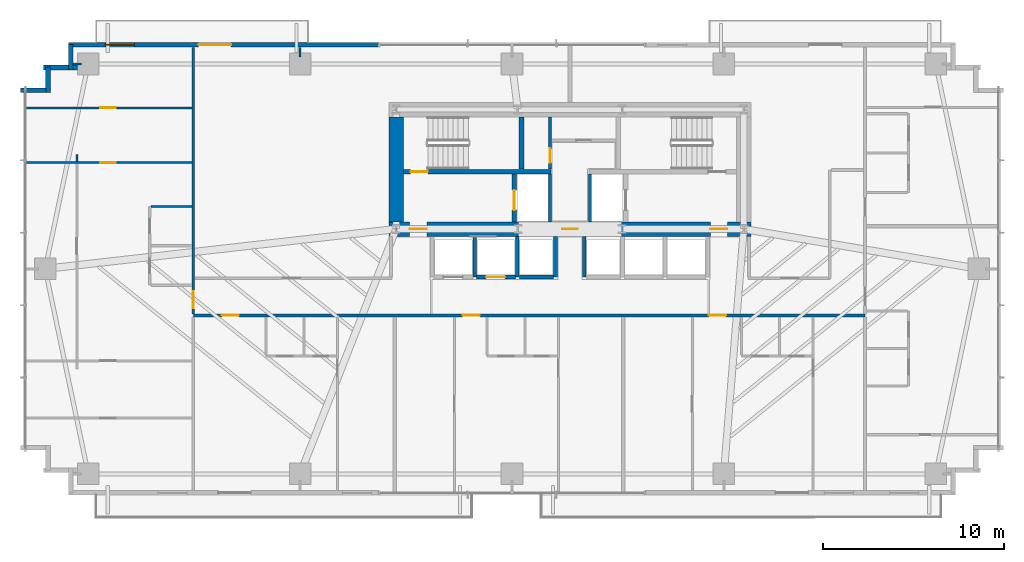
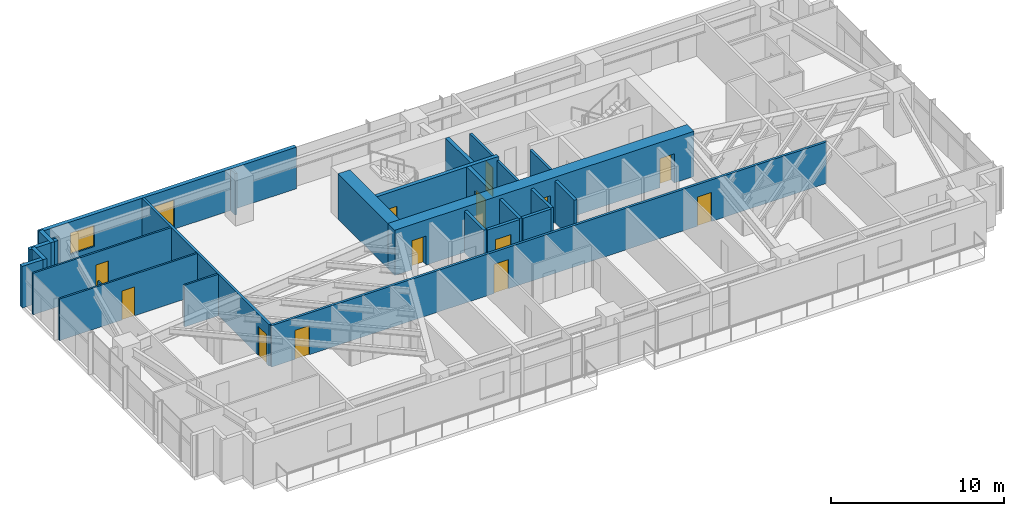
# One storey, part 20 of 25: 27 walls, 14 doors, 1 window, 15 openings.
"""IFC4 building model written with IfcOpenShell, lengths in metres."""

from ifc_helpers import new_model, si_unit, direction, frame, frame_2d, origin, place, context, subcontext, project, spatial, rectangle, extrude, source, transform, mapped, material, layer, layer_set, type_object, type_shapes, element, fill, save


model = new_model("IFC4")

# Units and contexts
model_context = context("Model", 3, precision=1e-05, world=origin(), true_north=direction((0.0, 1.0)))
body_context = subcontext(model_context, "Body", "Model", "MODEL_VIEW")
ifc_project = project(units=[si_unit("LENGTHUNIT", "METRE"), si_unit("AREAUNIT", "SQUARE_METRE"), si_unit("VOLUMEUNIT", "CUBIC_METRE"), si_unit("PLANEANGLEUNIT", "RADIAN"), si_unit("MASSUNIT", "GRAM", prefix="KILO")], contexts=[model_context])

# Site, building, storey
site_placement = place(None, origin())
site = spatial("IfcSite", under=ifc_project, at=site_placement, CompositionType="ELEMENT")
building_placement = place(site_placement, origin())
building = spatial("IfcBuilding", under=site, at=building_placement, Name="Astriad Promenade Condominiums", CompositionType="ELEMENT")
storey_placement = place(building_placement, frame((0.0, 0.0, 48.60009765625)))
storey = spatial("IfcBuildingStorey", under=building, at=storey_placement, Name="L13", CompositionType="ELEMENT", Elevation=48.60009765625)

# Wall, openings, doors
ifc_material_1 = material(Name="Concrete C80/95", Category="concrete")
ifc_layer_1 = layer(ifc_material_1, 0.800048828125)
ifc_layer_set_1 = layer_set([ifc_layer_1], Name="Concrete C80/95")
wall_type_1 = type_object("IfcWallType", Name="CW-SHEAR-800", PredefinedType="SHEAR", material=ifc_layer_set_1)
wall_1_placement = place(storey_placement, frame((26.0, 17.39990234375, 0.0), z_axis=(0.0, 0.0, 1.0), x_axis=(1.0, 0.0, 0.0)))
wall_1 = element("IfcWall", 1, at=wall_1_placement, inside=storey, type_object=wall_type_1, Name="CW-CORE-S-L13", PredefinedType="SHEAR", context=body_context, shape_type="SweptSolid", body=[
    extrude(rectangle(XDim=20.0, YDim=0.800048828125, at=frame_2d((10.0, 0.0))), origin(), (0.0, 0.0, 1.0), 3.199951171875),
])
opening_1_placement = place(wall_1_placement, frame((1.14990234375, 0.0, 0.0)))
opening_1 = element("IfcOpeningElement", 2, at=opening_1_placement, cuts=wall_1, Name="Opening FD90-ST-095", PredefinedType="OPENING", context=body_context, shape_type="SweptSolid", body=[
    extrude(rectangle(XDim=0.949951171875, YDim=2.06005859375, at=frame_2d((0.47509765625, 1.030029296875))), frame((0.0, 0.409912109375, 0.0), z_axis=(0.0, -1.0, 0.0), x_axis=(1.0, 0.0, 0.0)), (0.0, 0.0, 1.0), 0.820068359375),
])
opening_2_placement = place(wall_1_placement, frame((9.580078125, 0.0, 0.0)))
opening_2 = element("IfcOpeningElement", 3, at=opening_2_placement, cuts=wall_1, Name="Opening FD60-ULOW-085", PredefinedType="OPENING", context=body_context, shape_type="SweptSolid", body=[
    extrude(rectangle(XDim=0.85009765625, YDim=2.0, at=frame_2d((0.425048828125, 1.0))), frame((0.0, 0.409912109375, 0.0), z_axis=(0.0, -1.0, 0.0), x_axis=(1.0, 0.0, 0.0)), (0.0, 0.0, 1.0), 0.820068359375),
])
opening_3_placement = place(wall_1_placement, frame((17.75, 0.0, 0.0)))
opening_3 = element("IfcOpeningElement", 4, at=opening_3_placement, cuts=wall_1, Name="Opening FD90-ST-095", PredefinedType="OPENING", context=body_context, shape_type="SweptSolid", body=[
    extrude(rectangle(XDim=0.949951171875, YDim=2.06005859375, at=frame_2d((0.47509765625, 1.030029296875))), frame((0.0, 0.409912109375, 0.0), z_axis=(0.0, -1.0, 0.0), x_axis=(1.0, 0.0, 0.0)), (0.0, 0.0, 1.0), 0.820068359375),
])
ifc_material_2 = material(Name="Fire-Rated Hollow Metal Stair Door")
door_type_1 = type_object("IfcDoorType", Name="FD90-ST-095", OperationType="NOTDEFINED", PredefinedType="DOOR", material=ifc_material_2)
shared_shape_1 = source(origin(), body_context, "Body", "SweptSolid", [
    extrude(rectangle(XDim=0.949951171875, YDim=2.06005859375, at=frame_2d((0.47509765625, 1.030029296875))), frame((0.0, 0.02490234375, 0.0), z_axis=(0.0, -1.0, 0.0), x_axis=(1.0, 0.0, 0.0)), (0.0, 0.0, 1.0), 0.050048828125),
])
type_shapes(door_type_1, [shared_shape_1])
door_1_placement = place(opening_1_placement, origin())
door_1 = element("IfcDoor", 5, at=door_1_placement, inside=storey, type_object=door_type_1, Name="D-FFW-L13", OperationType="SINGLE_SWING_LEFT", OverallHeight=2.06005859375, OverallWidth=0.949951171875, PredefinedType="DOOR", context=body_context, shape_type="MappedRepresentation", body=[
    mapped(shared_shape_1, transform((0.0, 0.0, 0.0), scale=1.0)),
])
fill(opening_1, door_1)
door_2_placement = place(opening_3_placement, origin())
door_2 = element("IfcDoor", 6, at=door_2_placement, inside=storey, type_object=door_type_1, Name="D-FFE-L13", OperationType="SINGLE_SWING_RIGHT", OverallHeight=2.06005859375, OverallWidth=0.949951171875, PredefinedType="DOOR", context=body_context, shape_type="MappedRepresentation", body=[
    mapped(shared_shape_1, transform((0.0, 0.0, 0.0), scale=1.0)),
])
fill(opening_3, door_2)
ifc_material_3 = material(Name="Solid-Core Low-Headroom Fire Door")
door_type_2 = type_object("IfcDoorType", Name="FD60-ULOW-085", OperationType="NOTDEFINED", PredefinedType="DOOR", material=ifc_material_3)
shared_shape_2 = source(origin(), body_context, "Body", "SweptSolid", [
    extrude(rectangle(XDim=0.85009765625, YDim=2.0, at=frame_2d((0.425048828125, 1.0))), frame((0.0, 0.02490234375, 0.0), z_axis=(0.0, -1.0, 0.0), x_axis=(1.0, 0.0, 0.0)), (0.0, 0.0, 1.0), 0.050048828125),
])
type_shapes(door_type_2, [shared_shape_2])
door_3_placement = place(opening_2_placement, origin())
door_3 = element("IfcDoor", 7, at=door_3_placement, inside=storey, type_object=door_type_2, Name="D-CSL-L13", OperationType="SINGLE_SWING_RIGHT", OverallHeight=2.0, OverallWidth=0.85009765625, PredefinedType="DOOR", context=body_context, shape_type="MappedRepresentation", body=[
    mapped(shared_shape_2, transform((0.0, 0.0, 0.0), scale=1.0)),
])
fill(opening_2, door_3)

# Wall
wall_2_placement = place(storey_placement, frame((26.39990234375, 17.802001953125, 0.0), z_axis=(0.0, 0.0, 1.0), x_axis=(0.0, 1.0, 0.0)))
element("IfcWall", 8, at=wall_2_placement, inside=storey, type_object=wall_type_1, Name="CW-CORE-W-L13", PredefinedType="SHEAR", context=body_context, shape_type="SweptSolid", body=[
    extrude(rectangle(XDim=5.7958984375, YDim=0.800048828125, at=frame_2d((2.89794921875, 0.0))), origin(), (0.0, 0.0, 1.0), 3.199951171875),
])

# Wall, opening, door
ifc_material_4 = material(Name="Concrete C50/60", Category="concrete")
ifc_layer_2 = layer(ifc_material_4, 0.25)
ifc_layer_set_2 = layer_set([ifc_layer_2], Name="Concrete C50/60")
wall_type_2 = type_object("IfcWallType", Name="WALL-CORE-INT-250", PredefinedType="SOLIDWALL", material=ifc_layer_set_2)
wall_3_placement = place(storey_placement, frame((26.802001953125, 20.574951171875, 0.0), z_axis=(0.0, 0.0, 1.0), x_axis=(1.0, 0.0, 0.0)))
wall_3 = element("IfcWall", 9, at=wall_3_placement, inside=storey, type_object=wall_type_2, Name="CW-INT-H1-L13", PredefinedType="SOLIDWALL", context=body_context, shape_type="SweptSolid", body=[
    extrude(rectangle(XDim=8.14794921875, YDim=0.25, at=frame_2d((4.073974609375, 0.0))), origin(), (0.0, 0.0, 1.0), 3.199951171875),
])
opening_4_placement = place(wall_3_placement, frame((0.39794921875, 0.0, 0.0)))
opening_4 = element("IfcOpeningElement", 10, at=opening_4_placement, cuts=wall_3, Name="Opening FD90-ST-095", PredefinedType="OPENING", context=body_context, shape_type="SweptSolid", body=[
    extrude(rectangle(XDim=0.949951171875, YDim=2.06005859375, at=frame_2d((0.47509765625, 1.030029296875))), frame((0.0, 0.135009765625, 0.0), z_axis=(0.0, -1.0, 0.0), x_axis=(1.0, 0.0, 0.0)), (0.0, 0.0, 1.0), 0.27001953125),
])
door_4_placement = place(opening_4_placement, origin())
door_4 = element("IfcDoor", 11, at=door_4_placement, inside=storey, type_object=door_type_1, Name="D-ST1-L13", OperationType="SINGLE_SWING_LEFT", OverallHeight=2.06005859375, OverallWidth=0.949951171875, PredefinedType="DOOR", context=body_context, shape_type="MappedRepresentation", body=[
    mapped(shared_shape_1, transform((0.0, 0.0, 0.0), scale=1.0)),
])
fill(opening_4, door_4)

# Wall
wall_4_placement = place(storey_placement, frame((33.324951171875, 20.701904296875, 0.0), z_axis=(0.0, 0.0, 1.0), x_axis=(0.0, 1.0, 0.0)))
element("IfcWall", 12, at=wall_4_placement, inside=storey, type_object=wall_type_2, Name="CW-ST1-E-L13", PredefinedType="SOLIDWALL", context=body_context, shape_type="SweptSolid", body=[
    extrude(rectangle(XDim=2.89599609375, YDim=0.25, at=frame_2d((1.447998046875, 0.0))), origin(), (0.0, 0.0, 1.0), 3.199951171875),
])

# Wall, opening, door
wall_5_placement = place(storey_placement, frame((32.925048828125, 17.802001953125, 0.0), z_axis=(0.0, 0.0, 1.0), x_axis=(0.0, 1.0, 0.0)))
wall_5 = element("IfcWall", 13, at=wall_5_placement, inside=storey, type_object=wall_type_2, Name="CW-FFL1-W-L13", PredefinedType="SOLIDWALL", context=body_context, shape_type="SweptSolid", body=[
    extrude(rectangle(XDim=2.64599609375, YDim=0.25, at=frame_2d((1.322998046875, 0.0))), origin(), (0.0, 0.0, 1.0), 3.199951171875),
])
opening_5_placement = place(wall_5_placement, frame((0.64794921875, 0.0, 0.0)))
opening_5 = element("IfcOpeningElement", 14, at=opening_5_placement, cuts=wall_5, Name="Opening LD-FFL-1122", PredefinedType="OPENING", context=body_context, shape_type="SweptSolid", body=[
    extrude(rectangle(XDim=1.10009765625, YDim=2.080078125, at=frame_2d((0.550048828125, 1.0400390625))), frame((0.0, 0.135009765625, 0.0), z_axis=(0.0, -1.0, 0.0), x_axis=(1.0, 0.0, 0.0)), (0.0, 0.0, 1.0), 0.27001953125),
])
ifc_material_5 = material(Name="Brushed Stainless Steel Fire Elevator Landing Door", Category="steel")
door_type_3 = type_object("IfcDoorType", Name="LD-FFL-1122", OperationType="NOTDEFINED", PredefinedType="DOOR", material=ifc_material_5)
shared_shape_3 = source(origin(), body_context, "Body", "SweptSolid", [
    extrude(rectangle(XDim=1.10009765625, YDim=2.080078125, at=frame_2d((0.550048828125, 1.0400390625))), frame((0.0, 0.02490234375, 0.0), z_axis=(0.0, -1.0, 0.0), x_axis=(1.0, 0.0, 0.0)), (0.0, 0.0, 1.0), 0.050048828125),
])
type_shapes(door_type_3, [shared_shape_3])
door_5_placement = place(opening_5_placement, origin())
door_5 = element("IfcDoor", 15, at=door_5_placement, inside=storey, type_object=door_type_3, Name="Elevator Landing Door FFL-1 (L13)", OperationType="SLIDING_TO_LEFT", OverallHeight=2.080078125, OverallWidth=1.10009765625, PredefinedType="DOOR", context=body_context, shape_type="MappedRepresentation", body=[
    mapped(shared_shape_3, transform((0.0, 0.0, 0.0), scale=1.0)),
])
fill(opening_5, door_5)

# Walls
ifc_material_6 = material(Name="Fire-Rated Gypsum Partition")
ifc_layer_3 = layer(ifc_material_6, 0.159912109375)
ifc_layer_set_3 = layer_set([ifc_layer_3], Name="Fire-Rated Gypsum Partition")
wall_type_3 = type_object("IfcWallType", Name="WALL-CORR-160", PredefinedType="PARTITIONING", material=ifc_layer_set_3)
for number, where, z_axis, x_axis, name in (
    (16, (34.89990234375, 17.802001953125, 0.0), (0.0, 0.0, 1.0), (0.0, 1.0, 0.0), "CW-FFL1-E-L13"),
    (17, (37.10009765625, 17.802001953125, 0.0), (0.0, 0.0, 1.0), (0.0, 1.0, 0.0), "CW-FFL2-W-L13"),
):
    element("IfcWall", number, at=place(storey_placement, frame(where, z_axis=z_axis, x_axis=x_axis)), inside=storey, type_object=wall_type_3, Name=name, PredefinedType="PARTITIONING", context=body_context, shape_type="SweptSolid", body=[
        extrude(rectangle(XDim=2.64599609375, YDim=0.159912109375, at=frame_2d((1.322998046875, 0.0))), origin(), (0.0, 0.0, 1.0), 2.93994140625),
    ])

# Wall, opening, door
wall_6_placement = place(storey_placement, frame((34.89990234375, 20.701904296875, 0.0), z_axis=(0.0, 0.0, 1.0), x_axis=(0.0, 1.0, 0.0)))
wall_6 = element("IfcWall", 18, at=wall_6_placement, inside=storey, type_object=wall_type_3, Name="CW-AUX-W-L13", PredefinedType="PARTITIONING", context=body_context, shape_type="SweptSolid", body=[
    extrude(rectangle(XDim=2.89599609375, YDim=0.159912109375, at=frame_2d((1.447998046875, 0.0))), origin(), (0.0, 0.0, 1.0), 2.93994140625),
])
opening_6_placement = place(wall_6_placement, frame((0.347900390625, 0.0, 0.0)))
opening_6 = element("IfcOpeningElement", 19, at=opening_6_placement, cuts=wall_6, Name="Opening FD60-SV-080", PredefinedType="OPENING", context=body_context, shape_type="SweptSolid", body=[
    extrude(rectangle(XDim=0.800048828125, YDim=2.050048828125, at=frame_2d((0.39990234375, 1.02490234375))), frame((0.0, 0.08984375, 0.0), z_axis=(0.0, -1.0, 0.0), x_axis=(1.0, 0.0, 0.0)), (0.0, 0.0, 1.0), 0.179931640625),
])
ifc_material_7 = material(Name="Fire-Rated Riser Closet Door")
door_type_4 = type_object("IfcDoorType", Name="FD60-SV-080", OperationType="NOTDEFINED", PredefinedType="DOOR", material=ifc_material_7)
shared_shape_4 = source(origin(), body_context, "Body", "SweptSolid", [
    extrude(rectangle(XDim=0.800048828125, YDim=2.050048828125, at=frame_2d((0.39990234375, 1.02490234375))), frame((0.0, 0.02490234375, 0.0), z_axis=(0.0, -1.0, 0.0), x_axis=(1.0, 0.0, 0.0)), (0.0, 0.0, 1.0), 0.050048828125),
])
type_shapes(door_type_4, [shared_shape_4])
door_6_placement = place(opening_6_placement, origin())
door_6 = element("IfcDoor", 20, at=door_6_placement, inside=storey, type_object=door_type_4, Name="D-AUX1-L13", OperationType="SINGLE_SWING_LEFT", OverallHeight=2.050048828125, OverallWidth=0.800048828125, PredefinedType="DOOR", context=body_context, shape_type="MappedRepresentation", body=[
    mapped(shared_shape_4, transform((0.0, 0.0, 0.0), scale=1.0)),
])
fill(opening_6, door_6)

# Wall, openings, doors
wall_7_placement = place(storey_placement, frame((15.199951171875, 12.6298828125, 0.0), z_axis=(0.0, 0.0, 1.0), x_axis=(1.0, 0.0, 0.0)))
wall_7 = element("IfcWall", 21, at=wall_7_placement, inside=storey, type_object=wall_type_3, Name="PT-COR-S-L13", PredefinedType="PARTITIONING", context=body_context, shape_type="SweptSolid", body=[
    extrude(rectangle(XDim=37.10009765625, YDim=0.159912109375, at=frame_2d((18.550048828125, 0.0))), origin(), (0.0, 0.0, 1.0), 2.93994140625),
])
opening_7_placement = place(wall_7_placement, frame((1.572021484375, 0.0, 0.0)))
opening_7 = element("IfcOpeningElement", 22, at=opening_7_placement, cuts=wall_7, Name="Opening FD60-APT-095", PredefinedType="OPENING", context=body_context, shape_type="SweptSolid", body=[
    extrude(rectangle(XDim=0.949951171875, YDim=2.06005859375, at=frame_2d((0.47509765625, 1.030029296875))), frame((0.0, 0.08984375, 0.0), z_axis=(0.0, -1.0, 0.0), x_axis=(1.0, 0.0, 0.0)), (0.0, 0.0, 1.0), 0.179931640625),
])
opening_8_placement = place(wall_7_placement, frame((14.876953125, 0.0, 0.0)))
opening_8 = element("IfcOpeningElement", 23, at=opening_8_placement, cuts=wall_7, Name="Opening FD60-APT-095", PredefinedType="OPENING", context=body_context, shape_type="SweptSolid", body=[
    extrude(rectangle(XDim=0.949951171875, YDim=2.06005859375, at=frame_2d((0.47509765625, 1.030029296875))), frame((0.0, 0.08984375, 0.0), z_axis=(0.0, -1.0, 0.0), x_axis=(1.0, 0.0, 0.0)), (0.0, 0.0, 1.0), 0.179931640625),
])
opening_9_placement = place(wall_7_placement, frame((28.47607421875, 0.0, 0.0)))
opening_9 = element("IfcOpeningElement", 24, at=opening_9_placement, cuts=wall_7, Name="Opening FD60-APT-095", PredefinedType="OPENING", context=body_context, shape_type="SweptSolid", body=[
    extrude(rectangle(XDim=0.949951171875, YDim=2.06005859375, at=frame_2d((0.47509765625, 1.030029296875))), frame((0.0, 0.08984375, 0.0), z_axis=(0.0, -1.0, 0.0), x_axis=(1.0, 0.0, 0.0)), (0.0, 0.0, 1.0), 0.179931640625),
])
ifc_material_8 = material(Name="Solid-Core Acoustic Timber Residence Entry Door", Category="wood")
door_type_5 = type_object("IfcDoorType", Name="FD60-APT-095", OperationType="NOTDEFINED", PredefinedType="DOOR", material=ifc_material_8)
shared_shape_5 = source(origin(), body_context, "Body", "SweptSolid", [
    extrude(rectangle(XDim=0.949951171875, YDim=2.06005859375, at=frame_2d((0.47509765625, 1.030029296875))), frame((0.0, 0.02490234375, 0.0), z_axis=(0.0, -1.0, 0.0), x_axis=(1.0, 0.0, 0.0)), (0.0, 0.0, 1.0), 0.050048828125),
])
type_shapes(door_type_5, [shared_shape_5])
door_7_placement = place(opening_7_placement, origin())
door_7 = element("IfcDoor", 25, at=door_7_placement, inside=storey, type_object=door_type_5, Name="D-ENT-L13-S1", OperationType="SINGLE_SWING_LEFT", OverallHeight=2.06005859375, OverallWidth=0.949951171875, PredefinedType="DOOR", context=body_context, shape_type="MappedRepresentation", body=[
    mapped(shared_shape_5, transform((0.0, 0.0, 0.0), scale=1.0)),
])
fill(opening_7, door_7)
door_8_placement = place(opening_8_placement, origin())
door_8 = element("IfcDoor", 26, at=door_8_placement, inside=storey, type_object=door_type_5, Name="D-ENT-L13-S2", OperationType="SINGLE_SWING_RIGHT", OverallHeight=2.06005859375, OverallWidth=0.949951171875, PredefinedType="DOOR", context=body_context, shape_type="MappedRepresentation", body=[
    mapped(shared_shape_5, transform((0.0, 0.0, 0.0), scale=1.0)),
])
fill(opening_8, door_8)
door_9_placement = place(opening_9_placement, origin())
door_9 = element("IfcDoor", 27, at=door_9_placement, inside=storey, type_object=door_type_5, Name="D-ENT-L13-S3", OperationType="SINGLE_SWING_LEFT", OverallHeight=2.06005859375, OverallWidth=0.949951171875, PredefinedType="DOOR", context=body_context, shape_type="MappedRepresentation", body=[
    mapped(shared_shape_5, transform((0.0, 0.0, 0.0), scale=1.0)),
])
fill(opening_9, door_9)

# Wall, opening, door
wall_8_placement = place(storey_placement, frame((15.199951171875, 12.7119140625, 0.0), z_axis=(0.0, 0.0, 1.0), x_axis=(0.0, 1.0, 0.0)))
wall_8 = element("IfcWall", 28, at=wall_8_placement, inside=storey, type_object=wall_type_3, Name="PT-COR-W-L13-S2", PredefinedType="PARTITIONING", context=body_context, shape_type="SweptSolid", body=[
    extrude(rectangle(XDim=14.72607421875, YDim=0.159912109375, at=frame_2d((7.363037109375, 0.0))), origin(), (0.0, 0.0, 1.0), 2.93994140625),
])
opening_10_placement = place(wall_8_placement, frame((0.31201171875, 0.0, 0.0)))
opening_10 = element("IfcOpeningElement", 29, at=opening_10_placement, cuts=wall_8, Name="Opening FD60-APT-095", PredefinedType="OPENING", context=body_context, shape_type="SweptSolid", body=[
    extrude(rectangle(XDim=0.949951171875, YDim=2.06005859375, at=frame_2d((0.47509765625, 1.030029296875))), frame((0.0, 0.08984375, 0.0), z_axis=(0.0, -1.0, 0.0), x_axis=(1.0, 0.0, 0.0)), (0.0, 0.0, 1.0), 0.179931640625),
])
door_10_placement = place(opening_10_placement, origin())
door_10 = element("IfcDoor", 30, at=door_10_placement, inside=storey, type_object=door_type_5, Name="D-ENT-L13-W1", OperationType="SINGLE_SWING_LEFT", OverallHeight=2.06005859375, OverallWidth=0.949951171875, PredefinedType="DOOR", context=body_context, shape_type="MappedRepresentation", body=[
    mapped(shared_shape_5, transform((0.0, 0.0, 0.0), scale=1.0)),
])
fill(opening_10, door_10)

# Walls
ifc_material_9 = material(Name="Precast concrete C50/60", Category="concrete")
ifc_layer_4 = layer(ifc_material_9, 0.260009765625)
ifc_layer_set_4 = layer_set([ifc_layer_4], Name="Precast concrete C50/60")
wall_type_4 = type_object("IfcWallType", Name="WALL-EXT-TWR-260", PredefinedType="STANDARD", material=ifc_layer_set_4)
for number, where, z_axis, x_axis, name in (
    (31, (5.669921875, 25.070068359375, 0.0), (0.0, 0.0, 1.0), (1.0, 0.0, 0.0), "W-SER-L13-04"),
    (32, (7.179931640625, 24.93994140625, 0.0), (0.0, 0.0, 1.0), (0.0, 1.0, 0.0), "W-SER-L13-05"),
):
    element("IfcWall", number, at=place(storey_placement, frame(where, z_axis=z_axis, x_axis=x_axis)), inside=storey, type_object=wall_type_4, Name=name, PredefinedType="STANDARD", context=body_context, shape_type="SweptSolid", body=[
        extrude(rectangle(XDim=1.39501953125, YDim=0.260009765625, at=frame_2d((0.697509765625, 0.0))), origin(), (0.0, 0.0, 1.0), 2.93994140625),
    ])
wall_9_placement = place(storey_placement, frame((6.919921875, 26.320068359375, 0.0), z_axis=(0.0, 0.0, 1.0), x_axis=(1.0, 0.0, 0.0)))
element("IfcWall", 33, at=wall_9_placement, inside=storey, type_object=wall_type_4, Name="W-SER-L13-06", PredefinedType="STANDARD", context=body_context, shape_type="SweptSolid", body=[
    extrude(rectangle(XDim=1.878173828125, YDim=0.260009765625, at=frame_2d((0.93896484375, 0.0))), origin(), (0.0, 0.0, 1.0), 2.93994140625),
])
wall_10_placement = place(storey_placement, frame((8.429931640625, 26.18994140625, 0.0), z_axis=(0.0, 0.0, 1.0), x_axis=(0.0, 1.0, 0.0)))
element("IfcWall", 34, at=wall_10_placement, inside=storey, type_object=wall_type_4, Name="W-SER-L13-07", PredefinedType="STANDARD", context=body_context, shape_type="SweptSolid", body=[
    extrude(rectangle(XDim=1.39501953125, YDim=0.260009765625, at=frame_2d((0.697509765625, 0.0))), origin(), (0.0, 0.0, 1.0), 2.93994140625),
])

# Wall, openings, door, window
wall_11_placement = place(storey_placement, frame((8.300048828125, 27.570068359375, 0.0), z_axis=(0.0, 0.0, 1.0), x_axis=(1.0, 0.0, 0.0)))
wall_11 = element("IfcWall", 35, at=wall_11_placement, inside=storey, type_object=wall_type_4, Name="W-EXT-L13-N1", PredefinedType="STANDARD", context=body_context, shape_type="SweptSolid", body=[
    extrude(rectangle(XDim=17.14990234375, YDim=0.260009765625, at=frame_2d((8.574951171875, 0.0))), origin(), (0.0, 0.0, 1.0), 2.93994140625),
])
opening_11_placement = place(wall_11_placement, frame((7.18798828125, 0.0, 0.0)))
opening_11 = element("IfcOpeningElement", 36, at=opening_11_placement, cuts=wall_11, Name="Opening BD-1822-SLD", PredefinedType="OPENING", context=body_context, shape_type="SweptSolid", body=[
    extrude(rectangle(XDim=1.800048828125, YDim=2.06005859375, at=frame_2d((0.89990234375, 1.030029296875))), frame((0.0, 0.139892578125, 0.0), z_axis=(0.0, -1.0, 0.0), x_axis=(1.0, 0.0, 0.0)), (0.0, 0.0, 1.0), 0.280029296875),
])
opening_12_placement = place(wall_11_placement, frame((2.050048828125, 0.0, 0.64990234375)))
opening_12 = element("IfcOpeningElement", 37, at=opening_12_placement, cuts=wall_11, Name="Opening WIN-TWR-1620", PredefinedType="OPENING", context=body_context, shape_type="SweptSolid", body=[
    extrude(rectangle(XDim=1.60009765625, YDim=1.5, at=frame_2d((0.800048828125, 0.75))), frame((0.0, 0.139892578125, 0.0), z_axis=(0.0, -1.0, 0.0), x_axis=(1.0, 0.0, 0.0)), (0.0, 0.0, 1.0), 0.280029296875),
])
ifc_material_10 = material(Name="Thermally Broken Aluminium Sliding Balcony Door", Category="aluminium")
door_type_6 = type_object("IfcDoorType", Name="BD-1822-SLD", OperationType="NOTDEFINED", PredefinedType="DOOR", material=ifc_material_10)
shared_shape_6 = source(origin(), body_context, "Body", "SweptSolid", [
    extrude(rectangle(XDim=1.800048828125, YDim=2.06005859375, at=frame_2d((0.89990234375, 1.030029296875))), frame((0.0, 0.02490234375, 0.0), z_axis=(0.0, -1.0, 0.0), x_axis=(1.0, 0.0, 0.0)), (0.0, 0.0, 1.0), 0.050048828125),
])
type_shapes(door_type_6, [shared_shape_6])
door_11_placement = place(opening_11_placement, origin())
door_11 = element("IfcDoor", 38, at=door_11_placement, inside=storey, type_object=door_type_6, Name="BD-L13-NW", OperationType="SLIDING_TO_LEFT", OverallHeight=2.06005859375, OverallWidth=1.800048828125, PredefinedType="DOOR", context=body_context, shape_type="MappedRepresentation", body=[
    mapped(shared_shape_6, transform((0.0, 0.0, 0.0), scale=1.0)),
])
fill(opening_11, door_11)
ifc_material_11 = material(Name="Dark Tinted Triple-Glazed Aluminium Window", Category="aluminium")
window_type = type_object("IfcWindowType", Name="WIN-TWR-1620", PartitioningType="SINGLE_PANEL", PredefinedType="WINDOW", material=ifc_material_11)
shared_shape_7 = source(origin(), body_context, "Body", "SweptSolid", [
    extrude(rectangle(XDim=1.60009765625, YDim=1.5, at=frame_2d((0.800048828125, 0.75))), frame((0.0, 0.030029296875, 0.0), z_axis=(0.0, -1.0, 0.0), x_axis=(1.0, 0.0, 0.0)), (0.0, 0.0, 1.0), 0.06005859375),
])
type_shapes(window_type, [shared_shape_7])
window_placement = place(opening_12_placement, origin())
window = element("IfcWindow", 39, at=window_placement, inside=storey, type_object=window_type, Name="WIN-L13-NW", OverallHeight=1.5, OverallWidth=1.60009765625, PartitioningType="SINGLE_PANEL", PredefinedType="WINDOW", context=body_context, shape_type="MappedRepresentation", body=[
    mapped(shared_shape_7, transform((0.0, 0.0, 0.0), scale=1.0)),
])
fill(opening_12, window)

# Wall
ifc_material_12 = material(Name="Acoustic Metal-Stud Gypsum Partition")
ifc_layer_5 = layer(ifc_material_12, 0.1201171875)
ifc_layer_set_5 = layer_set([ifc_layer_5], Name="Acoustic Metal-Stud Gypsum Partition")
wall_type_5 = type_object("IfcWallType", Name="WALL-PART-120", PredefinedType="PARTITIONING", material=ifc_layer_set_5)
wall_12_placement = place(storey_placement, frame((12.862060546875, 18.64892578125, 0.0), z_axis=(0.0, 0.0, 1.0), x_axis=(1.0, 0.0, 0.0)))
element("IfcWall", 40, at=wall_12_placement, inside=storey, type_object=wall_type_5, Name="PT-L13-W1-PN", PredefinedType="PARTITIONING", context=body_context, shape_type="SweptSolid", body=[
    extrude(rectangle(XDim=2.255859375, YDim=0.1201171875, at=frame_2d((1.1279296875, 0.0))), origin(), (0.0, 0.0, 1.0), 2.93994140625),
])

# Wall, opening, door
wall_13_placement = place(storey_placement, frame((5.8798828125, 24.090087890625, 0.0), z_axis=(0.0, 0.0, 1.0), x_axis=(1.0, 0.0, 0.0)))
wall_13 = element("IfcWall", 41, at=wall_13_placement, inside=storey, type_object=wall_type_5, Name="PT-L13-W1-B1", PredefinedType="PARTITIONING", context=body_context, shape_type="SweptSolid", body=[
    extrude(rectangle(XDim=9.238037109375, YDim=0.1201171875, at=frame_2d((4.619140625, 0.0))), origin(), (0.0, 0.0, 1.0), 2.93994140625),
])
opening_13_placement = place(wall_13_placement, frame((4.18505859375, 0.0, 0.0)))
opening_13 = element("IfcOpeningElement", 42, at=opening_13_placement, cuts=wall_13, Name="Opening D-INT-085", PredefinedType="OPENING", context=body_context, shape_type="SweptSolid", body=[
    extrude(rectangle(XDim=0.85009765625, YDim=2.050048828125, at=frame_2d((0.425048828125, 1.02490234375))), frame((0.0, 0.070068359375, 0.0), z_axis=(0.0, -1.0, 0.0), x_axis=(1.0, 0.0, 0.0)), (0.0, 0.0, 1.0), 0.14013671875),
])
ifc_material_13 = material(Name="Painted Solid-Core Timber Room Door", Category="wood")
door_type_7 = type_object("IfcDoorType", Name="D-INT-085", OperationType="NOTDEFINED", PredefinedType="DOOR", material=ifc_material_13)
shared_shape_8 = source(origin(), body_context, "Body", "SweptSolid", [
    extrude(rectangle(XDim=0.85009765625, YDim=2.050048828125, at=frame_2d((0.425048828125, 1.02490234375))), frame((0.0, 0.02490234375, 0.0), z_axis=(0.0, -1.0, 0.0), x_axis=(1.0, 0.0, 0.0)), (0.0, 0.0, 1.0), 0.050048828125),
])
type_shapes(door_type_7, [shared_shape_8])
door_12_placement = place(opening_13_placement, origin())
door_12 = element("IfcDoor", 43, at=door_12_placement, inside=storey, type_object=door_type_7, Name="D-BD1-L13-W1", OperationType="SINGLE_SWING_RIGHT", OverallHeight=2.050048828125, OverallWidth=0.85009765625, PredefinedType="DOOR", context=body_context, shape_type="MappedRepresentation", body=[
    mapped(shared_shape_8, transform((0.0, 0.0, 0.0), scale=1.0)),
])
fill(opening_13, door_12)

wall_14_placement = place(storey_placement, frame((5.8798828125, 21.070068359375, 0.0), z_axis=(0.0, 0.0, 1.0), x_axis=(1.0, 0.0, 0.0)))
wall_14 = element("IfcWall", 44, at=wall_14_placement, inside=storey, type_object=wall_type_5, Name="PT-L13-W1-WDN3", PredefinedType="PARTITIONING", context=body_context, shape_type="SweptSolid", body=[
    extrude(rectangle(XDim=9.238037109375, YDim=0.1201171875, at=frame_2d((4.619140625, 0.0))), origin(), (0.0, 0.0, 1.0), 2.93994140625),
])
opening_14_placement = place(wall_14_placement, frame((4.18505859375, 0.0, 0.0)))
opening_14 = element("IfcOpeningElement", 45, at=opening_14_placement, cuts=wall_14, Name="Opening D-INT-085", PredefinedType="OPENING", context=body_context, shape_type="SweptSolid", body=[
    extrude(rectangle(XDim=0.85009765625, YDim=2.050048828125, at=frame_2d((0.425048828125, 1.02490234375))), frame((0.0, 0.070068359375, 0.0), z_axis=(0.0, -1.0, 0.0), x_axis=(1.0, 0.0, 0.0)), (0.0, 0.0, 1.0), 0.14013671875),
])
door_13_placement = place(opening_14_placement, origin())
door_13 = element("IfcDoor", 46, at=door_13_placement, inside=storey, type_object=door_type_7, Name="D-WDN3-L13-W1", OperationType="SINGLE_SWING_LEFT", OverallHeight=2.050048828125, OverallWidth=0.85009765625, PredefinedType="DOOR", context=body_context, shape_type="MappedRepresentation", body=[
    mapped(shared_shape_8, transform((0.0, 0.0, 0.0), scale=1.0)),
])
fill(opening_14, door_13)

# Walls
wall_15_placement = place(storey_placement, frame((8.77490234375, 21.132080078125, 0.0), z_axis=(0.0, 0.0, 1.0), x_axis=(0.0, 1.0, 0.0)))
element("IfcWall", 47, at=wall_15_placement, inside=storey, type_object=wall_type_5, Name="PT-L13-W1-WDV4-S3", PredefinedType="PARTITIONING", context=body_context, shape_type="SweptSolid", body=[
    extrude(rectangle(XDim=0.3779296875, YDim=0.1201171875, at=frame_2d((0.18896484375, 0.0))), origin(), (0.0, 0.0, 1.0), 2.93994140625),
])
wall_16_placement = place(storey_placement, frame((9.02001953125, 26.52001953125, 0.0), z_axis=(0.0, 0.0, 1.0), x_axis=(-1.0, 0.0, 0.0)))
element("IfcWall", 48, at=wall_16_placement, inside=storey, type_object=wall_type_5, Name="PT-PIL-L13-PC06-13", PredefinedType="PARTITIONING", context=body_context, shape_type="SweptSolid", body=[
    extrude(rectangle(XDim=0.4580078125, YDim=0.1201171875, at=frame_2d((0.22900390625, 0.0))), origin(), (0.0, 0.0, 1.0), 2.93994140625),
])
wall_17_placement = place(storey_placement, frame((21.10009765625, 26.89990234375, 0.0), z_axis=(0.0, 0.0, 1.0), x_axis=(0.0, 1.0, 0.0)))
element("IfcWall", 49, at=wall_17_placement, inside=storey, type_object=wall_type_5, Name="PT-PIL-L13-PC07-14", PredefinedType="PARTITIONING", context=body_context, shape_type="SweptSolid", body=[
    extrude(rectangle(XDim=0.5380859375, YDim=0.1201171875, at=frame_2d((0.26904296875, 0.0))), origin(), (0.0, 0.0, 1.0), 2.93994140625),
])
ifc_material_14 = material(Name="Gypsum Shaftliner Assembly")
ifc_layer_6 = layer(ifc_material_14, 0.199951171875)
ifc_layer_set_6 = layer_set([ifc_layer_6], Name="Gypsum Shaftliner Assembly")
wall_type_6 = type_object("IfcWallType", Name="WALL-SHAFT-200", PredefinedType="PARTITIONING", material=ifc_layer_set_6)
for number, where, z_axis, x_axis, name in (
    (50, (30.75, 14.75, 0.0), (0.0, 0.0, 1.0), (0.0, 1.0, 0.0), "PL-L-DIV-L13"),
    (51, (33.10009765625, 14.75, 0.0), (0.0, 0.0, 1.0), (0.0, 1.0, 0.0), "PL-LM-DIV-L13"),
):
    element("IfcWall", number, at=place(storey_placement, frame(where, z_axis=z_axis, x_axis=x_axis)), inside=storey, type_object=wall_type_6, Name=name, PredefinedType="PARTITIONING", context=body_context, shape_type="SweptSolid", body=[
        extrude(rectangle(XDim=2.248046875, YDim=0.199951171875, at=frame_2d((1.1240234375, 0.0))), origin(), (0.0, 0.0, 1.0), 2.93994140625),
    ])

# Wall, opening, door
wall_18_placement = place(storey_placement, frame((30.85205078125, 14.75, 0.0), z_axis=(0.0, 0.0, 1.0), x_axis=(1.0, 0.0, 0.0)))
wall_18 = element("IfcWall", 52, at=wall_18_placement, inside=storey, type_object=wall_type_6, Name="PL-L-FRT-L13-S2", PredefinedType="PARTITIONING", context=body_context, shape_type="SweptSolid", body=[
    extrude(rectangle(XDim=2.14599609375, YDim=0.199951171875, at=frame_2d((1.072998046875, 0.0))), origin(), (0.0, 0.0, 1.0), 2.93994140625),
])
opening_15_placement = place(wall_18_placement, frame((0.52294921875, 0.0, 0.0)))
opening_15 = element("IfcOpeningElement", 53, at=opening_15_placement, cuts=wall_18, Name="Opening LD-PL-10522", PredefinedType="OPENING", context=body_context, shape_type="SweptSolid", body=[
    extrude(rectangle(XDim=1.050048828125, YDim=2.080078125, at=frame_2d((0.52490234375, 1.0400390625))), frame((0.0, 0.10986328125, 0.0), z_axis=(0.0, -1.0, 0.0), x_axis=(1.0, 0.0, 0.0)), (0.0, 0.0, 1.0), 0.219970703125),
])
ifc_material_15 = material(Name="Brushed Bronze Passenger Elevator Landing Door")
door_type_8 = type_object("IfcDoorType", Name="LD-PL-10522", OperationType="NOTDEFINED", PredefinedType="DOOR", material=ifc_material_15)
shared_shape_9 = source(origin(), body_context, "Body", "SweptSolid", [
    extrude(rectangle(XDim=1.050048828125, YDim=2.080078125, at=frame_2d((0.52490234375, 1.0400390625))), frame((0.0, 0.02490234375, 0.0), z_axis=(0.0, -1.0, 0.0), x_axis=(1.0, 0.0, 0.0)), (0.0, 0.0, 1.0), 0.050048828125),
])
type_shapes(door_type_8, [shared_shape_9])
door_14_placement = place(opening_15_placement, origin())
door_14 = element("IfcDoor", 54, at=door_14_placement, inside=storey, type_object=door_type_8, Name="Elevator Landing Door PL-L2 (L13)", OperationType="SLIDING_TO_RIGHT", OverallHeight=2.080078125, OverallWidth=1.050048828125, PredefinedType="DOOR", context=body_context, shape_type="MappedRepresentation", body=[
    mapped(shared_shape_9, transform((0.0, 0.0, 0.0), scale=1.0)),
])
fill(opening_15, door_14)

# Walls
wall_19_placement = place(storey_placement, frame((35.199951171875, 14.75, 0.0), z_axis=(0.0, 0.0, 1.0), x_axis=(0.0, 1.0, 0.0)))
element("IfcWall", 55, at=wall_19_placement, inside=storey, type_object=wall_type_6, Name="PL-M1-E-L13", PredefinedType="PARTITIONING", context=body_context, shape_type="SweptSolid", body=[
    extrude(rectangle(XDim=2.248046875, YDim=0.199951171875, at=frame_2d((1.1240234375, 0.0))), origin(), (0.0, 0.0, 1.0), 2.93994140625),
])
wall_20_placement = place(storey_placement, frame((33.201904296875, 14.75, 0.0), z_axis=(0.0, 0.0, 1.0), x_axis=(1.0, 0.0, 0.0)))
element("IfcWall", 56, at=wall_20_placement, inside=storey, type_object=wall_type_6, Name="PL-M1-F-L13", PredefinedType="PARTITIONING", context=body_context, shape_type="SweptSolid", body=[
    extrude(rectangle(XDim=1.89599609375, YDim=0.199951171875, at=frame_2d((0.947998046875, 0.0))), origin(), (0.0, 0.0, 1.0), 2.93994140625),
])
wall_21_placement = place(storey_placement, frame((36.800048828125, 14.75, 0.0), z_axis=(0.0, 0.0, 1.0), x_axis=(0.0, 1.0, 0.0)))
element("IfcWall", 57, at=wall_21_placement, inside=storey, type_object=wall_type_6, Name="PL-M2-W-L13", PredefinedType="PARTITIONING", context=body_context, shape_type="SweptSolid", body=[
    extrude(rectangle(XDim=2.248046875, YDim=0.199951171875, at=frame_2d((1.1240234375, 0.0))), origin(), (0.0, 0.0, 1.0), 2.93994140625),
])

save(model, "model.ifc")
